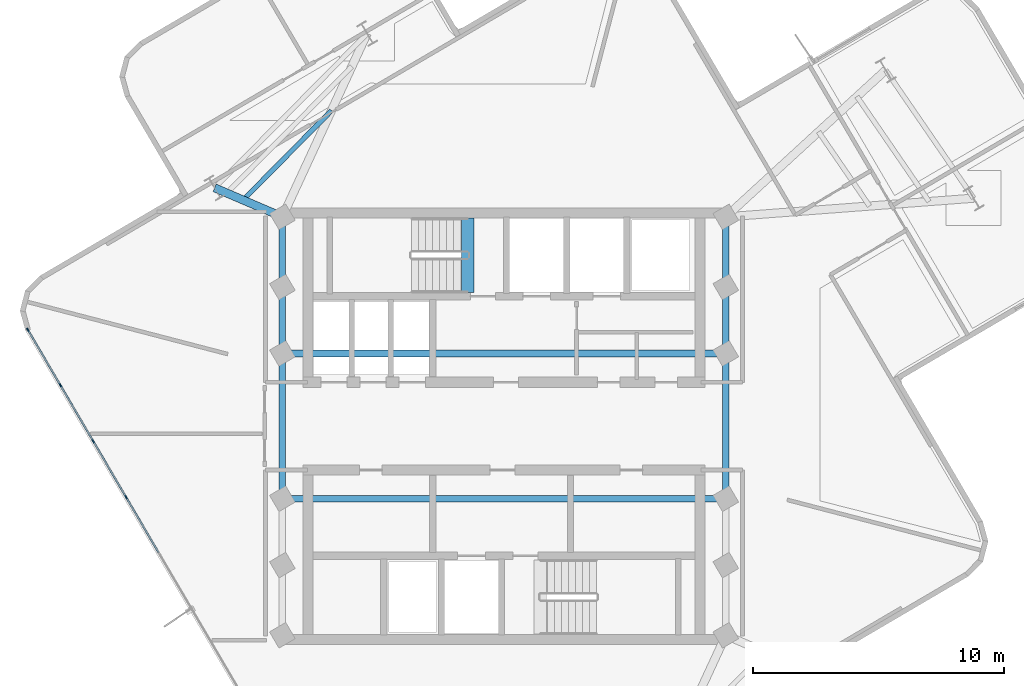
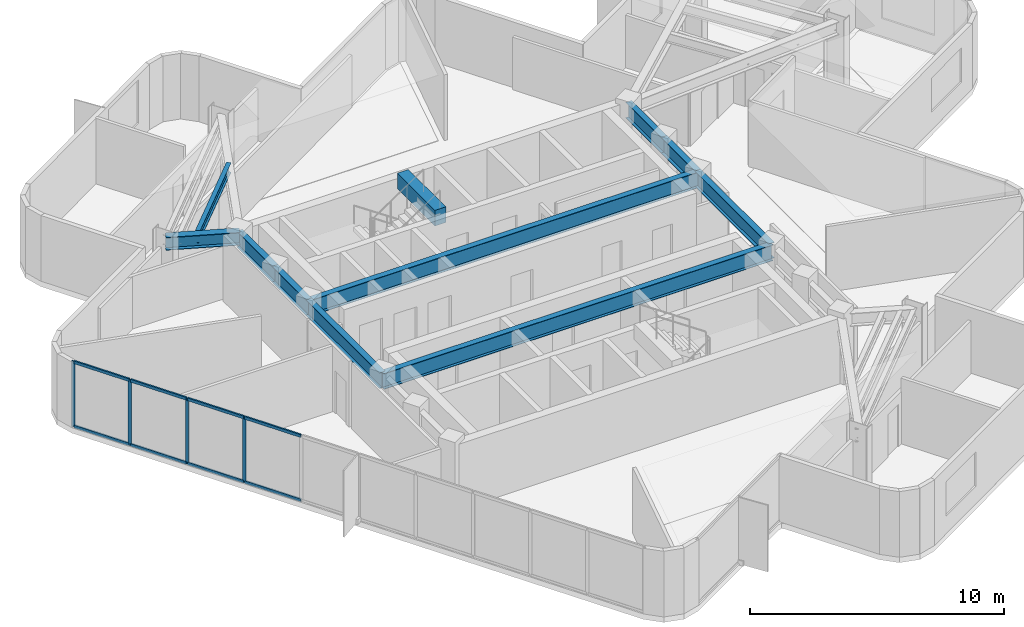
# One storey, part 3 of 9: 12 members, 11 beams, 1 element without a shape of its own.
"""IFC4 building model written with IfcOpenShell, lengths in metres."""

from ifc_helpers import new_model, si_unit, direction, frame, origin, origin_2d, place, context, subcontext, project, spatial, rectangle, i_section, extrude, material, layer, layer_set, material_profile, profile_set, type_object, element, aggregate, save


model = new_model("IFC4")

# Units and contexts
model_context = context("Model", 3, precision=1e-05, world=origin(), true_north=direction((0.0, 1.0)))
body_context = subcontext(model_context, "Body", "Model", "MODEL_VIEW")
ifc_project = project(units=[si_unit("LENGTHUNIT", "METRE"), si_unit("AREAUNIT", "SQUARE_METRE"), si_unit("VOLUMEUNIT", "CUBIC_METRE"), si_unit("PLANEANGLEUNIT", "RADIAN"), si_unit("MASSUNIT", "GRAM", prefix="KILO")], contexts=[model_context])

# Site, building, storey
site_placement = place(None, origin())
site = spatial("IfcSite", under=ifc_project, at=site_placement, CompositionType="ELEMENT")
building_placement = place(site_placement, origin())
building = spatial("IfcBuilding", under=site, at=building_placement, Name="Solmarez Civic Tower", CompositionType="ELEMENT")
storey_placement = place(building_placement, frame((0.0, 0.0, 208.6201171875)))
storey = spatial("IfcBuildingStorey", under=building, at=storey_placement, Name="L55", CompositionType="ELEMENT", Elevation=208.6201171875)

# Beams
ifc_material_1 = material(Name="Steel S355", Category="steel")
ifc_material_profile_1 = material_profile(ifc_material_1, i_section(OverallWidth=0.19189453125, OverallDepth=0.462890625, WebThickness=0.010498046875, FlangeThickness=0.017578125, at=origin_2d()), Name="W18X60")
ifc_profile_set_1 = profile_set([ifc_material_profile_1], Name="Steel S355")
beam_type_1 = type_object("IfcBeamType", Name="BM-JS-W18X60", PredefinedType="JOIST", material=ifc_profile_set_1)
beam_1_placement = place(storey_placement, frame((-6.887939453125, 12.595947265625, 2.927978515625), z_axis=(-0.702816380081, -0.711371306625, 0.0), x_axis=(0.711371306625, -0.702816380081, 0.0)))
element("IfcBeam", 1, at=beam_1_placement, inside=storey, type_object=beam_type_1, Name="L55 Secondary Floor Joist JS-L55-NA-M11", PredefinedType="JOIST", context=body_context, shape_type="SweptSolid", body=[
    extrude(i_section(OverallWidth=0.19189453125, OverallDepth=0.462890625, WebThickness=0.010498046875, FlangeThickness=0.017578125, at=origin_2d()), origin(), (0.0, 0.0, 1.0), 5.022705078125),
])
ifc_material_2 = material(Name="Concrete C50/60", Category="concrete")
ifc_material_profile_2 = material_profile(ifc_material_2, rectangle(XDim=0.5, YDim=0.75, at=origin_2d()), Name="RC500X750")
ifc_profile_set_2 = profile_set([ifc_material_profile_2], Name="Concrete C50/60")
beam_type_2 = type_object("IfcBeamType", Name="BM-PR-RC500X750", PredefinedType="BEAM", material=ifc_profile_set_2)
beam_2_placement = place(storey_placement, frame((-1.449951171875, 5.340087890625, 3.052978515625), z_axis=(0.0, 1.0, 0.0), x_axis=(-1.0, 0.0, 0.0)))
element("IfcBeam", 2, at=beam_2_placement, inside=storey, type_object=beam_type_2, Name="L55 North Stair Threshold Beam", PredefinedType="BEAM", context=body_context, shape_type="SweptSolid", body=[
    extrude(rectangle(XDim=0.5, YDim=0.75, at=origin_2d()), origin(), (0.0, 0.0, 1.0), 2.9599609375),
])
ifc_material_profile_3 = material_profile(ifc_material_1, i_section(OverallWidth=0.327880859375, OverallDepth=0.6220703125, WebThickness=0.015380859375, FlangeThickness=0.0244140625, at=origin_2d()), Name="W24X131")
ifc_profile_set_3 = profile_set([ifc_material_profile_3], Name="Steel S355")
beam_type_3 = type_object("IfcBeamType", Name="BM-PR-W24X131", PredefinedType="BEAM", material=ifc_profile_set_3)
beam_3_placement = place(storey_placement, frame((-8.85009765625, 8.35009765625, 2.848876953125), z_axis=(-0.919007627325, 0.394239750557, 0.0), x_axis=(-0.394239750557, -0.919007627325, 0.0)))
element("IfcBeam", 3, at=beam_3_placement, inside=storey, type_object=beam_type_3, Name="L55 Primary Floor Beam BM-L55-NA-R1B", PredefinedType="BEAM", context=body_context, shape_type="SweptSolid", body=[
    extrude(i_section(OverallWidth=0.327880859375, OverallDepth=0.6220703125, WebThickness=0.015380859375, FlangeThickness=0.0244140625, at=origin_2d()), origin(), (0.0, 0.0, 1.0), 2.942138671875),
])
ifc_material_profile_4 = material_profile(ifc_material_1, i_section(OverallWidth=0.26708984375, OverallDepth=0.761962890625, WebThickness=0.014404296875, FlangeThickness=0.021484375, at=origin_2d()), Name="W30X116")
ifc_profile_set_4 = profile_set([ifc_material_profile_4], Name="Steel S355")
beam_type_4 = type_object("IfcBeamType", Name="BM-PR-W30X116", PredefinedType="BEAM", material=ifc_profile_set_4)
beam_4_placement = place(storey_placement, frame((-8.85009765625, -2.89990234375, 2.77880859375), z_axis=(0.0, 1.0, 0.0), x_axis=(-1.0, 0.0, 0.0)))
element("IfcBeam", 4, at=beam_4_placement, inside=storey, type_object=beam_type_4, Name="L55 Primary Floor Beam BM-L55-HC2-HC3", PredefinedType="BEAM", context=body_context, shape_type="SweptSolid", body=[
    extrude(i_section(OverallWidth=0.26708984375, OverallDepth=0.761962890625, WebThickness=0.014404296875, FlangeThickness=0.021484375, at=origin_2d()), origin(), (0.0, 0.0, 1.0), 5.7998046875),
])
beam_5_placement = place(storey_placement, frame((-8.85009765625, 2.89990234375, 2.77880859375), z_axis=(0.0, 1.0, 0.0), x_axis=(-1.0, 0.0, 0.0)))
element("IfcBeam", 5, at=beam_5_placement, inside=storey, type_object=beam_type_4, Name="L55 Primary Floor Beam BM-L55-HC3-HC4", PredefinedType="BEAM", context=body_context, shape_type="SweptSolid", body=[
    extrude(i_section(OverallWidth=0.26708984375, OverallDepth=0.761962890625, WebThickness=0.014404296875, FlangeThickness=0.021484375, at=origin_2d()), origin(), (0.0, 0.0, 1.0), 2.650146484375),
])
beam_6_placement = place(storey_placement, frame((-8.85009765625, 5.550048828125, 2.77880859375), z_axis=(0.0, 1.0, 0.0), x_axis=(-1.0, 0.0, 0.0)))
element("IfcBeam", 6, at=beam_6_placement, inside=storey, type_object=beam_type_4, Name="L55 Primary Floor Beam BM-L55-HC4-HC9", PredefinedType="BEAM", context=body_context, shape_type="SweptSolid", body=[
    extrude(i_section(OverallWidth=0.26708984375, OverallDepth=0.761962890625, WebThickness=0.014404296875, FlangeThickness=0.021484375, at=origin_2d()), origin(), (0.0, 0.0, 1.0), 2.800048828125),
])
beam_7_placement = place(storey_placement, frame((8.85009765625, -2.89990234375, 2.77880859375), z_axis=(0.0, 1.0, 0.0), x_axis=(-1.0, 0.0, 0.0)))
element("IfcBeam", 7, at=beam_7_placement, inside=storey, type_object=beam_type_4, Name="L55 Primary Floor Beam BM-L55-HC6-HC7", PredefinedType="BEAM", context=body_context, shape_type="SweptSolid", body=[
    extrude(i_section(OverallWidth=0.26708984375, OverallDepth=0.761962890625, WebThickness=0.014404296875, FlangeThickness=0.021484375, at=origin_2d()), origin(), (0.0, 0.0, 1.0), 5.7998046875),
])
beam_8_placement = place(storey_placement, frame((8.85009765625, 2.89990234375, 2.77880859375), z_axis=(0.0, 1.0, 0.0), x_axis=(-1.0, 0.0, 0.0)))
element("IfcBeam", 8, at=beam_8_placement, inside=storey, type_object=beam_type_4, Name="L55 Primary Floor Beam BM-L55-HC7-HC8", PredefinedType="BEAM", context=body_context, shape_type="SweptSolid", body=[
    extrude(i_section(OverallWidth=0.26708984375, OverallDepth=0.761962890625, WebThickness=0.014404296875, FlangeThickness=0.021484375, at=origin_2d()), origin(), (0.0, 0.0, 1.0), 2.650146484375),
])
beam_9_placement = place(storey_placement, frame((8.85009765625, 5.550048828125, 2.77880859375), z_axis=(0.0, 1.0, 0.0), x_axis=(-1.0, 0.0, 0.0)))
element("IfcBeam", 9, at=beam_9_placement, inside=storey, type_object=beam_type_4, Name="L55 Primary Floor Beam BM-L55-HC8-HC11", PredefinedType="BEAM", context=body_context, shape_type="SweptSolid", body=[
    extrude(i_section(OverallWidth=0.26708984375, OverallDepth=0.761962890625, WebThickness=0.014404296875, FlangeThickness=0.021484375, at=origin_2d()), origin(), (0.0, 0.0, 1.0), 2.800048828125),
])
for number, where, z_axis, x_axis, name in (
    (10, (-8.85009765625, -2.89990234375, 2.77880859375), (1.0, 0.0, 0.0), (0.0, 1.0, 0.0), "L55 Primary Floor Beam BM-L55-HC2-HC6"),
    (11, (-8.85009765625, 2.89990234375, 2.77880859375), (1.0, 0.0, 0.0), (0.0, 1.0, 0.0), "L55 Primary Floor Beam BM-L55-HC3-HC7"),
):
    element("IfcBeam", number, at=place(storey_placement, frame(where, z_axis=z_axis, x_axis=x_axis)), inside=storey, type_object=beam_type_4, Name=name, PredefinedType="BEAM", context=body_context, shape_type="SweptSolid", body=[
        extrude(i_section(OverallWidth=0.26708984375, OverallDepth=0.761962890625, WebThickness=0.014404296875, FlangeThickness=0.021484375, at=origin_2d()), origin(), (0.0, 0.0, 1.0), 17.7001953125),
    ])

# Curtain wall, members
ifc_material_3 = material(Name="Bronze Anodised Aluminium EN AW-6063 T6", Category="aluminium")
ifc_layer = layer(ifc_material_3, 0.1650390625)
ifc_layer_set = layer_set([ifc_layer], Name="Bronze Anodised Aluminium EN AW-6063 T6")
curtain_wall_type = type_object("IfcCurtainWallType", Name="CW-SYS-4", PredefinedType="NOTDEFINED", material=ifc_layer_set)
curtain_wall_placement = place(storey_placement, origin())
curtain_wall = element("IfcCurtainWall", 12, at=curtain_wall_placement, inside=storey, type_object=curtain_wall_type, Name="L55 Stick-Built Curtain Wall 2", PredefinedType="NOTDEFINED")
ifc_material_profile_5 = material_profile(ifc_material_3, rectangle(XDim=0.06005859375, YDim=0.14990234375, at=origin_2d()), Name="CWM-60X150")
ifc_profile_set_5 = profile_set([ifc_material_profile_5], Name="Bronze Anodised Aluminium EN AW-6063 T6")
member_type_1 = type_object("IfcMemberType", Name="CWM-TYPE-4", PredefinedType="MULLION", material=ifc_profile_set_5)
member_1_placement = place(storey_placement, frame((-15.08740234375, -2.840087890625, 0.0), z_axis=(0.0, 0.0, 1.0), x_axis=(-0.862505824967, -0.506047134067, 0.0)))
member_1 = element("IfcMember", 13, at=member_1_placement, type_object=member_type_1, Name="CWS4 mullion 8", PredefinedType="MULLION", context=body_context, shape_type="SweptSolid", body=[
    extrude(rectangle(XDim=0.06005859375, YDim=0.14990234375, at=origin_2d()), origin(), (0.0, 0.0, 1.0), 3.159912109375),
])
member_2_placement = place(storey_placement, frame((-16.399169921875, -0.60400390625, 0.0), z_axis=(0.0, 0.0, 1.0), x_axis=(-0.862505824967, -0.506047134067, 0.0)))
member_2 = element("IfcMember", 14, at=member_2_placement, type_object=member_type_1, Name="CWS4 mullion 9", PredefinedType="MULLION", context=body_context, shape_type="SweptSolid", body=[
    extrude(rectangle(XDim=0.06005859375, YDim=0.14990234375, at=origin_2d()), origin(), (0.0, 0.0, 1.0), 3.159912109375),
])
member_3_placement = place(storey_placement, frame((-17.711181640625, 1.632080078125, 0.0), z_axis=(0.0, 0.0, 1.0), x_axis=(-0.862505824967, -0.506047134067, 0.0)))
member_3 = element("IfcMember", 15, at=member_3_placement, type_object=member_type_1, Name="CWS4 mullion 10", PredefinedType="MULLION", context=body_context, shape_type="SweptSolid", body=[
    extrude(rectangle(XDim=0.06005859375, YDim=0.14990234375, at=origin_2d()), origin(), (0.0, 0.0, 1.0), 3.159912109375),
])
member_4_placement = place(storey_placement, frame((-19.0078125, 3.842041015625, 0.0), z_axis=(0.0, 0.0, 1.0), x_axis=(-0.862505824967, -0.506047134067, 0.0)))
member_4 = element("IfcMember", 16, at=member_4_placement, type_object=member_type_1, Name="CWS4 mullion 11", PredefinedType="MULLION", context=body_context, shape_type="SweptSolid", body=[
    extrude(rectangle(XDim=0.06005859375, YDim=0.14990234375, at=origin_2d()), origin(), (0.0, 0.0, 1.0), 3.159912109375),
])
ifc_material_profile_6 = material_profile(ifc_material_3, rectangle(XDim=0.070068359375, YDim=0.139892578125, at=origin_2d()), Name="CWT-70X140")
ifc_profile_set_6 = profile_set([ifc_material_profile_6], Name="Bronze Anodised Aluminium EN AW-6063 T6")
member_type_2 = type_object("IfcMemberType", Name="CWT-TYPE-1", PredefinedType="USERDEFINED", material=ifc_profile_set_6)
member_5_placement = place(storey_placement, frame((-13.79052734375, -5.050048828125, 0.034912109375), z_axis=(-0.506063383694, 0.862496290823, 0.0), x_axis=(-0.862496290823, -0.506063383694, 0.0)))
member_5 = element("IfcMember", 17, at=member_5_placement, type_object=member_type_2, Name="CWS4 transom 7.1", ObjectType="TRANSOM", PredefinedType="USERDEFINED", context=body_context, shape_type="SweptSolid", body=[
    extrude(rectangle(XDim=0.070068359375, YDim=0.139892578125, at=origin_2d()), origin(), (0.0, 0.0, 1.0), 2.5322265625),
])
member_6_placement = place(storey_placement, frame((-13.79052734375, -5.050048828125, 3.125), z_axis=(-0.506063383694, 0.862496290823, 0.0), x_axis=(-0.862496290823, -0.506063383694, 0.0)))
member_6 = element("IfcMember", 18, at=member_6_placement, type_object=member_type_2, Name="CWS4 transom 7.2", ObjectType="TRANSOM", PredefinedType="USERDEFINED", context=body_context, shape_type="SweptSolid", body=[
    extrude(rectangle(XDim=0.070068359375, YDim=0.139892578125, at=origin_2d()), origin(), (0.0, 0.0, 1.0), 2.5322265625),
])
member_7_placement = place(storey_placement, frame((-15.1025390625, -2.814208984375, 0.034912109375), z_axis=(-0.506021305161, 0.862520978715, 0.0), x_axis=(-0.862520978715, -0.506021305161, 0.0)))
member_7 = element("IfcMember", 19, at=member_7_placement, type_object=member_type_2, Name="CWS4 transom 8.1", ObjectType="TRANSOM", PredefinedType="USERDEFINED", context=body_context, shape_type="SweptSolid", body=[
    extrude(rectangle(XDim=0.070068359375, YDim=0.139892578125, at=origin_2d()), origin(), (0.0, 0.0, 1.0), 2.532470703125),
])
member_8_placement = place(storey_placement, frame((-15.1025390625, -2.814208984375, 3.125), z_axis=(-0.506021305161, 0.862520978715, 0.0), x_axis=(-0.862520978715, -0.506021305161, 0.0)))
member_8 = element("IfcMember", 20, at=member_8_placement, type_object=member_type_2, Name="CWS4 transom 8.2", ObjectType="TRANSOM", PredefinedType="USERDEFINED", context=body_context, shape_type="SweptSolid", body=[
    extrude(rectangle(XDim=0.070068359375, YDim=0.139892578125, at=origin_2d()), origin(), (0.0, 0.0, 1.0), 2.532470703125),
])
member_9_placement = place(storey_placement, frame((-16.414306640625, -0.578125, 0.034912109375), z_axis=(-0.506021305161, 0.862520978715, 0.0), x_axis=(-0.862520978715, -0.506021305161, 0.0)))
member_9 = element("IfcMember", 21, at=member_9_placement, type_object=member_type_2, Name="CWS4 transom 9.1", ObjectType="TRANSOM", PredefinedType="USERDEFINED", context=body_context, shape_type="SweptSolid", body=[
    extrude(rectangle(XDim=0.070068359375, YDim=0.139892578125, at=origin_2d()), origin(), (0.0, 0.0, 1.0), 2.532470703125),
])
member_10_placement = place(storey_placement, frame((-16.414306640625, -0.578125, 3.125), z_axis=(-0.506021305161, 0.862520978715, 0.0), x_axis=(-0.862520978715, -0.506021305161, 0.0)))
member_10 = element("IfcMember", 22, at=member_10_placement, type_object=member_type_2, Name="CWS4 transom 9.2", ObjectType="TRANSOM", PredefinedType="USERDEFINED", context=body_context, shape_type="SweptSolid", body=[
    extrude(rectangle(XDim=0.070068359375, YDim=0.139892578125, at=origin_2d()), origin(), (0.0, 0.0, 1.0), 2.532470703125),
])
member_11_placement = place(storey_placement, frame((-17.726318359375, 1.657958984375, 0.034912109375), z_axis=(-0.506077516632, 0.86248799827, 0.0), x_axis=(-0.86248799827, -0.506077516632, 0.0)))
member_11 = element("IfcMember", 23, at=member_11_placement, type_object=member_type_2, Name="CWS4 transom 10.1", ObjectType="TRANSOM", PredefinedType="USERDEFINED", context=body_context, shape_type="SweptSolid", body=[
    extrude(rectangle(XDim=0.070068359375, YDim=0.139892578125, at=origin_2d()), origin(), (0.0, 0.0, 1.0), 2.502197265625),
])
member_12_placement = place(storey_placement, frame((-17.726318359375, 1.657958984375, 3.125), z_axis=(-0.506077516632, 0.86248799827, 0.0), x_axis=(-0.86248799827, -0.506077516632, 0.0)))
member_12 = element("IfcMember", 24, at=member_12_placement, type_object=member_type_2, Name="CWS4 transom 10.2", ObjectType="TRANSOM", PredefinedType="USERDEFINED", context=body_context, shape_type="SweptSolid", body=[
    extrude(rectangle(XDim=0.070068359375, YDim=0.139892578125, at=origin_2d()), origin(), (0.0, 0.0, 1.0), 2.502197265625),
])
aggregate(curtain_wall, [member_1, member_2, member_3, member_4, member_5, member_6, member_7, member_8, member_9, member_10, member_11, member_12])

save(model, "model.ifc")
